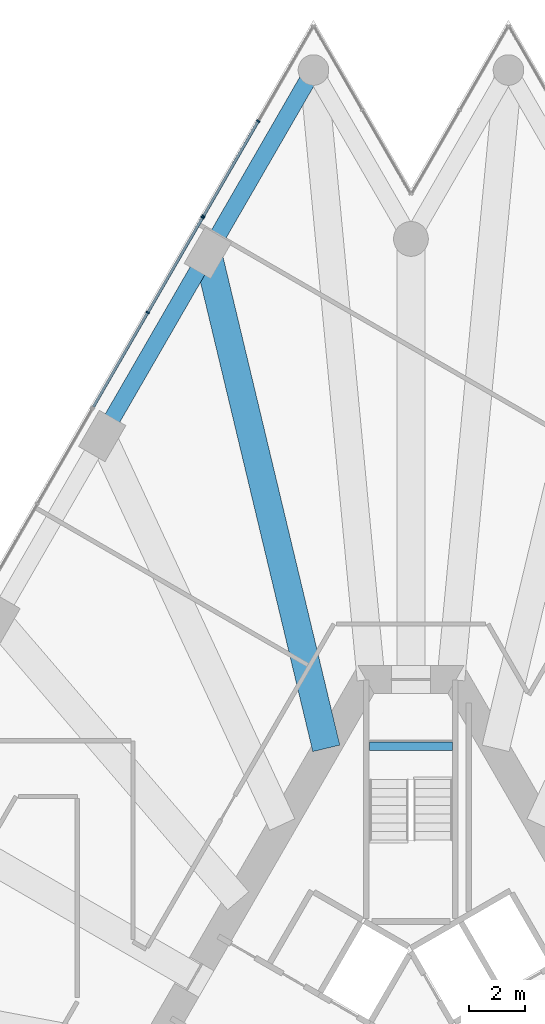
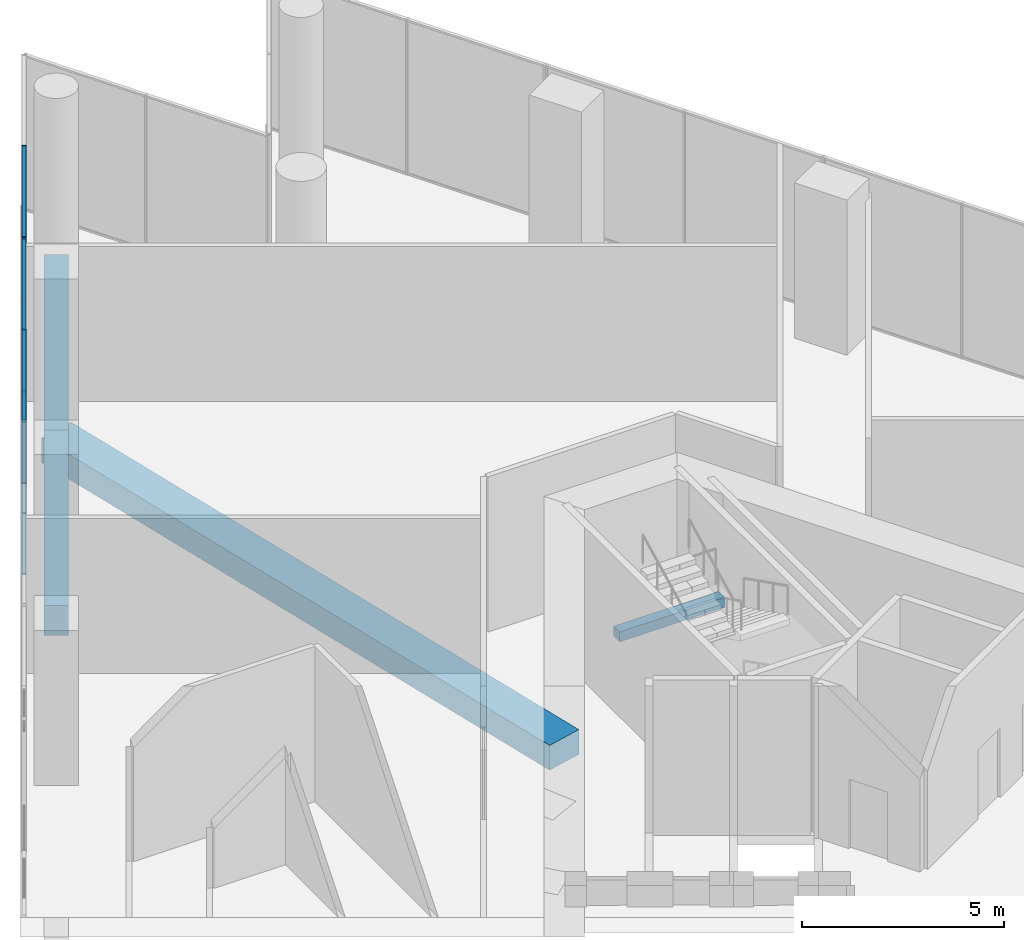
# One storey, part 14 of 28: 10 members, 4 beams, 2 elements without a shape of their own.
"""IFC4 building model written with IfcOpenShell, lengths in metres."""

from ifc_helpers import new_model, si_unit, direction, frame, origin, origin_2d, place, context, subcontext, project, spatial, rectangle, extrude, material, layer, layer_set, material_profile, profile_set, type_object, element, aggregate, save


model = new_model("IFC4")

# Units and contexts
model_context = context("Model", 3, precision=1e-05, world=origin(), true_north=direction((0.0, 1.0)))
body_context = subcontext(model_context, "Body", "Model", "MODEL_VIEW")
ifc_project = project(units=[si_unit("LENGTHUNIT", "METRE"), si_unit("AREAUNIT", "SQUARE_METRE"), si_unit("VOLUMEUNIT", "CUBIC_METRE"), si_unit("PLANEANGLEUNIT", "RADIAN"), si_unit("MASSUNIT", "GRAM", prefix="KILO")], contexts=[model_context])

# Site, building, storey
site_placement = place(None, origin())
site = spatial("IfcSite", under=ifc_project, at=site_placement, CompositionType="ELEMENT")
building_placement = place(site_placement, origin())
building = spatial("IfcBuilding", under=site, at=building_placement, Name="Triada Interchange Tower", CompositionType="ELEMENT")
storey_placement = place(building_placement, frame((0.0, 0.0, 30.300048828125)))
storey = spatial("IfcBuildingStorey", under=building, at=storey_placement, Name="L05", CompositionType="ELEMENT", Elevation=30.300048828125)

# Beam
ifc_material_1 = material(Name="Concrete C35/45", Category="concrete")
ifc_material_profile_1 = material_profile(ifc_material_1, rectangle(XDim=0.300048828125, YDim=0.300048828125, at=origin_2d()), Name="RC 300x300")
ifc_profile_set_1 = profile_set([ifc_material_profile_1], Name="Concrete C35/45")
beam_type_1 = type_object("IfcBeamType", Name="Landing support beam RC 300x300", PredefinedType="BEAM", material=ifc_profile_set_1)
beam_1_placement = place(storey_placement, frame((1.5, 12.800048828125, 2.14990234375), z_axis=(-1.0, 0.0, 0.0), x_axis=(0.0, -1.0, 0.0)))
element("IfcBeam", 1, at=beam_1_placement, inside=storey, type_object=beam_type_1, Name="Landing support beam S05-1 1", PredefinedType="BEAM", context=body_context, shape_type="SweptSolid", body=[
    extrude(rectangle(XDim=0.300048828125, YDim=0.300048828125, at=origin_2d()), origin(), (0.0, 0.0, 1.0), 3.0),
])

# Curtain wall, members
ifc_material_2 = material(Name="Aluminium framed glazing", Category="aluminium")
ifc_layer = layer(ifc_material_2, 0.199951171875)
ifc_layer_set = layer_set([ifc_layer], Name="Curtain wall Winter garden glazing")
curtain_wall_type = type_object("IfcCurtainWallType", Name="Curtain wall Winter garden glazing", PredefinedType="NOTDEFINED", material=ifc_layer_set)
curtain_wall_1_placement = place(storey_placement, origin())
curtain_wall_1 = element("IfcCurtainWall", 2, at=curtain_wall_1_placement, inside=storey, type_object=curtain_wall_type, Name="Winter garden glazing CW022 L05", PredefinedType="NOTDEFINED")
ifc_material_3 = material(Name="Aluminium", Category="aluminium")
ifc_material_profile_2 = material_profile(ifc_material_3, rectangle(XDim=0.1201171875, YDim=0.050048828125, at=origin_2d()), Name="Aluminium mullion")
ifc_profile_set_2 = profile_set([ifc_material_profile_2], Name="Aluminium")
member_type_1 = type_object("IfcMemberType", Name="Mullion Winter garden glazing 120x50", PredefinedType="MULLION", material=ifc_profile_set_2)
member_1_placement = place(storey_placement, frame((-5.491943359375, 35.28662109375, 0.0), z_axis=(0.0, 0.0, 1.0), x_axis=(0.86604927658, -0.499958648825, 0.0)))
member_1 = element("IfcMember", 3, at=member_1_placement, type_object=member_type_1, Name="CW022 mullion 2", PredefinedType="MULLION", context=body_context, shape_type="SweptSolid", body=[
    extrude(rectangle(XDim=0.1201171875, YDim=0.050048828125, at=origin_2d()), origin(), (0.0, 0.0, 1.0), 4.699951171875),
])
member_2_placement = place(storey_placement, frame((-7.464599609375, 31.86962890625, 0.0), z_axis=(0.0, 0.0, 1.0), x_axis=(0.86604927658, -0.499958648825, 0.0)))
member_2 = element("IfcMember", 4, at=member_2_placement, type_object=member_type_1, Name="CW022 mullion 3", PredefinedType="MULLION", context=body_context, shape_type="SweptSolid", body=[
    extrude(rectangle(XDim=0.1201171875, YDim=0.050048828125, at=origin_2d()), origin(), (0.0, 0.0, 1.0), 4.699951171875),
])

curtain_wall_2_placement = place(storey_placement, origin())
curtain_wall_2 = element("IfcCurtainWall", 5, at=curtain_wall_2_placement, inside=storey, type_object=curtain_wall_type, Name="Winter garden glazing CW023 L05", PredefinedType="NOTDEFINED")
member_3_placement = place(storey_placement, frame((-7.49560546875, 31.8173828125, 0.0), z_axis=(0.0, 0.0, 1.0), x_axis=(0.866055473648, -0.499947913852, 0.0)))
member_3 = element("IfcMember", 6, at=member_3_placement, type_object=member_type_1, Name="CW023 mullion 1", PredefinedType="MULLION", context=body_context, shape_type="SweptSolid", body=[
    extrude(rectangle(XDim=0.1201171875, YDim=0.050048828125, at=origin_2d()), origin(), (0.0, 0.0, 1.0), 4.699951171875),
])
member_4_placement = place(storey_placement, frame((-9.466552734375, 28.403076171875, 0.0), z_axis=(0.0, 0.0, 1.0), x_axis=(0.866055473648, -0.499947913852, 0.0)))
member_4 = element("IfcMember", 7, at=member_4_placement, type_object=member_type_1, Name="CW023 mullion 2", PredefinedType="MULLION", context=body_context, shape_type="SweptSolid", body=[
    extrude(rectangle(XDim=0.1201171875, YDim=0.050048828125, at=origin_2d()), origin(), (0.0, 0.0, 1.0), 4.699951171875),
])

# Beams
ifc_material_4 = material(Name="Concrete C50/60", Category="concrete")
ifc_material_profile_3 = material_profile(ifc_material_4, rectangle(XDim=1.0, YDim=0.75, at=origin_2d()), Name="RC 1000x750")
ifc_profile_set_3 = profile_set([ifc_material_profile_3], Name="Concrete C50/60")
beam_type_2 = type_object("IfcBeamType", Name="Radial band beam P RC 1000x750", PredefinedType="BEAM", material=ifc_profile_set_3)
beam_2_placement = place(storey_placement, frame((-7.306884765625, 30.5439453125, -0.775146484375), z_axis=(0.232645559645, -0.972561588578, 0.0), x_axis=(0.972561588578, 0.232645559645, 0.0)))
element("IfcBeam", 8, at=beam_2_placement, inside=storey, type_object=beam_type_2, Name="Radial band beam BP02 L05", PredefinedType="BEAM", context=body_context, shape_type="SweptSolid", body=[
    extrude(rectangle(XDim=1.0, YDim=0.75, at=origin_2d()), origin(), (0.0, 0.0, 1.0), 18.319580078125),
])
ifc_material_profile_4 = material_profile(ifc_material_4, rectangle(XDim=0.60009765625, YDim=0.89990234375, at=origin_2d()), Name="RC 600x900")
ifc_profile_set_4 = profile_set([ifc_material_profile_4], Name="Concrete C50/60")
beam_type_3 = type_object("IfcBeamType", Name="Spandrel beam P RC 600x900", PredefinedType="BEAM", material=ifc_profile_set_4)
beam_3_placement = place(storey_placement, frame((-3.507080078125, 37.125, -0.85009765625), z_axis=(-0.500022797313, -0.86601224135, 0.0), x_axis=(0.86601224135, -0.500022797313, 0.0)))
element("IfcBeam", 9, at=beam_3_placement, inside=storey, type_object=beam_type_3, Name="Spandrel beam EP01 L05", PredefinedType="BEAM", context=body_context, shape_type="SweptSolid", body=[
    extrude(rectangle(XDim=0.60009765625, YDim=0.89990234375, at=origin_2d()), origin(), (0.0, 0.0, 1.0), 7.599365234375),
])
beam_4_placement = place(storey_placement, frame((-7.306884765625, 30.5439453125, -0.85009765625), z_axis=(-0.499894869559, -0.866086092366, 0.0), x_axis=(0.866086092366, -0.499894869559, 0.0)))
element("IfcBeam", 10, at=beam_4_placement, inside=storey, type_object=beam_type_3, Name="Spandrel beam EP02 L05", PredefinedType="BEAM", context=body_context, shape_type="SweptSolid", body=[
    extrude(rectangle(XDim=0.60009765625, YDim=0.89990234375, at=origin_2d()), origin(), (0.0, 0.0, 1.0), 7.599853515625),
])

# Member
ifc_material_profile_5 = material_profile(ifc_material_3, rectangle(XDim=0.10009765625, YDim=0.050048828125, at=origin_2d()), Name="Aluminium transom")
ifc_profile_set_5 = profile_set([ifc_material_profile_5], Name="Aluminium")
member_type_2 = type_object("IfcMemberType", Name="Transom Winter garden glazing 100x50", PredefinedType="USERDEFINED", material=ifc_profile_set_5)
member_5_placement = place(storey_placement, frame((-5.50439453125, 35.264892578125, 0.02490234375), z_axis=(-0.499961171201, -0.866047820441, 0.0), x_axis=(0.866047820441, -0.499961171201, 0.0)))
member_5 = element("IfcMember", 11, at=member_5_placement, type_object=member_type_2, Name="CW022 transom 2.1", ObjectType="TRANSOM", PredefinedType="USERDEFINED", context=body_context, shape_type="SweptSolid", body=[
    extrude(rectangle(XDim=0.10009765625, YDim=0.050048828125, at=origin_2d()), origin(), (0.0, 0.0, 1.0), 3.895263671875),
])

member_6_placement = place(storey_placement, frame((-5.50439453125, 35.264892578125, 4.675048828125), z_axis=(-0.499961171201, -0.866047820441, 0.0), x_axis=(0.866047820441, -0.499961171201, 0.0)))
member_6 = element("IfcMember", 12, at=member_6_placement, type_object=member_type_2, Name="CW022 transom 2.2", ObjectType="TRANSOM", PredefinedType="USERDEFINED", context=body_context, shape_type="SweptSolid", body=[
    extrude(rectangle(XDim=0.10009765625, YDim=0.050048828125, at=origin_2d()), origin(), (0.0, 0.0, 1.0), 3.895263671875),
])

aggregate(curtain_wall_1, [member_1, member_2, member_5, member_6])

member_7_placement = place(storey_placement, frame((-7.508056640625, 31.795654296875, 0.02490234375), z_axis=(-0.499950487857, -0.866053987747, 0.0), x_axis=(0.866053987747, -0.499950487857, 0.0)))
member_7 = element("IfcMember", 13, at=member_7_placement, type_object=member_type_2, Name="CW023 transom 1.1", ObjectType="TRANSOM", PredefinedType="USERDEFINED", context=body_context, shape_type="SweptSolid", body=[
    extrude(rectangle(XDim=0.10009765625, YDim=0.050048828125, at=origin_2d()), origin(), (0.0, 0.0, 1.0), 3.892578125),
])

member_8_placement = place(storey_placement, frame((-7.508056640625, 31.795654296875, 4.675048828125), z_axis=(-0.499950487857, -0.866053987747, 0.0), x_axis=(0.866053987747, -0.499950487857, 0.0)))
member_8 = element("IfcMember", 14, at=member_8_placement, type_object=member_type_2, Name="CW023 transom 1.2", ObjectType="TRANSOM", PredefinedType="USERDEFINED", context=body_context, shape_type="SweptSolid", body=[
    extrude(rectangle(XDim=0.10009765625, YDim=0.050048828125, at=origin_2d()), origin(), (0.0, 0.0, 1.0), 3.892578125),
])

member_9_placement = place(storey_placement, frame((-9.47900390625, 28.38134765625, 0.02490234375), z_axis=(-0.499950487857, -0.866053987747, 0.0), x_axis=(0.866053987747, -0.499950487857, 0.0)))
member_9 = element("IfcMember", 15, at=member_9_placement, type_object=member_type_2, Name="CW023 transom 2.1", ObjectType="TRANSOM", PredefinedType="USERDEFINED", context=body_context, shape_type="SweptSolid", body=[
    extrude(rectangle(XDim=0.10009765625, YDim=0.050048828125, at=origin_2d()), origin(), (0.0, 0.0, 1.0), 3.892578125),
])

member_10_placement = place(storey_placement, frame((-9.47900390625, 28.38134765625, 4.675048828125), z_axis=(-0.499950487857, -0.866053987747, 0.0), x_axis=(0.866053987747, -0.499950487857, 0.0)))
member_10 = element("IfcMember", 16, at=member_10_placement, type_object=member_type_2, Name="CW023 transom 2.2", ObjectType="TRANSOM", PredefinedType="USERDEFINED", context=body_context, shape_type="SweptSolid", body=[
    extrude(rectangle(XDim=0.10009765625, YDim=0.050048828125, at=origin_2d()), origin(), (0.0, 0.0, 1.0), 3.892578125),
])

aggregate(curtain_wall_2, [member_3, member_4, member_7, member_8, member_9, member_10])

save(model, "model.ifc")
